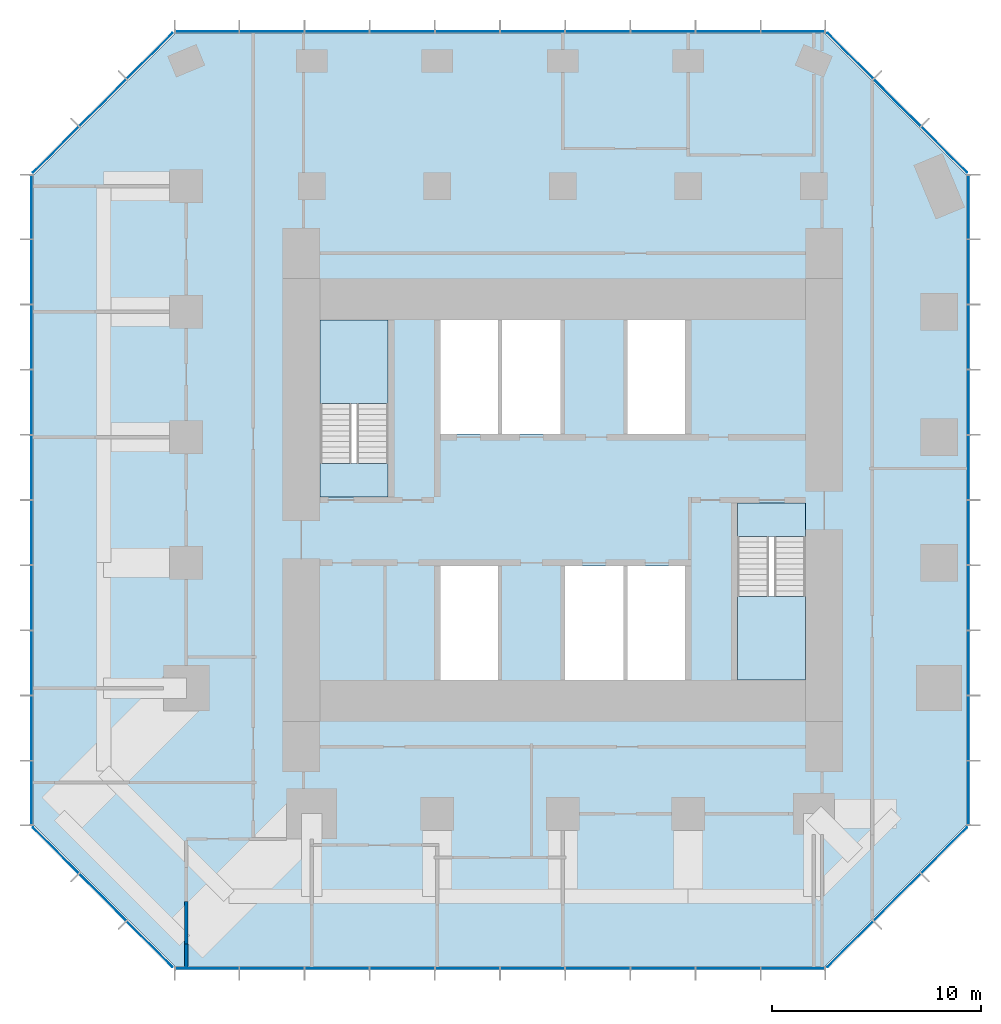
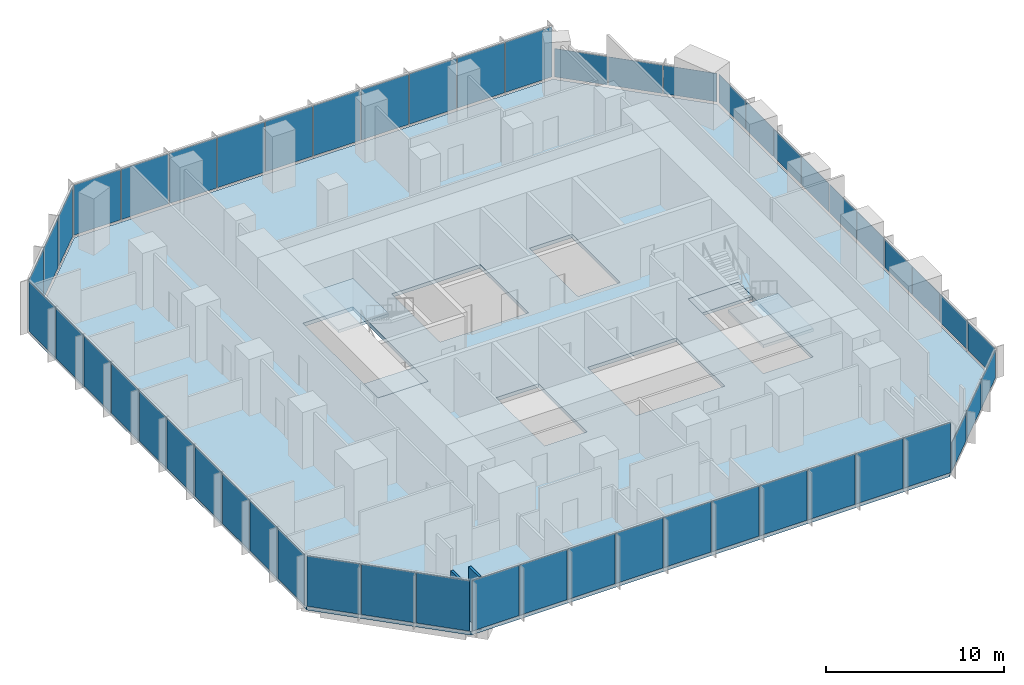
# One storey, part 7 of 11: 52 plates, 5 slabs, 2 walls, 10 elements without a shape of their own.
"""IFC4 building model written with IfcOpenShell, lengths in metres."""

from ifc_helpers import new_model, si_unit, direction, frame, frame_2d, origin, origin_2d, place, context, subcontext, project, spatial, polyline, rectangle, outline, extrude, material, layer, layer_set, type_object, element, aggregate, save


model = new_model("IFC4")

# Units and contexts
model_context = context("Model", 3, precision=1e-05, world=origin(), true_north=direction((0.0, 1.0)))
body_context = subcontext(model_context, "Body", "Model", "MODEL_VIEW")
ifc_project = project(units=[si_unit("LENGTHUNIT", "METRE"), si_unit("AREAUNIT", "SQUARE_METRE"), si_unit("VOLUMEUNIT", "CUBIC_METRE"), si_unit("PLANEANGLEUNIT", "RADIAN"), si_unit("MASSUNIT", "GRAM", prefix="KILO")], contexts=[model_context])

# Site, building, storey
site_placement = place(None, origin())
site = spatial("IfcSite", under=ifc_project, at=site_placement, CompositionType="ELEMENT")
building_placement = place(site_placement, origin())
building = spatial("IfcBuilding", under=site, at=building_placement, Name="Highveld Stack Headquarters", CompositionType="ELEMENT")
storey_placement = place(building_placement, frame((0.0, 0.0, 235.699951171875)))
storey = spatial("IfcBuildingStorey", under=building, at=storey_placement, Name="L58", CompositionType="ELEMENT", Elevation=235.699951171875)

# Curtain wall, plates
ifc_material_1 = material(Name="Aluminium bronze anodised", Category="aluminium")
ifc_layer_1 = layer(ifc_material_1, 0.199951171875)
ifc_layer_set_1 = layer_set([ifc_layer_1], Name="Aluminium bronze anodised")
curtain_wall_type_1 = type_object("IfcCurtainWallType", Name="CW1 TOWER UNITISED CURTAIN WALL", PredefinedType="NOTDEFINED", material=ifc_layer_set_1)
curtain_wall_1_placement = place(storey_placement, origin())
curtain_wall_1 = element("IfcCurtainWall", 1, at=curtain_wall_1_placement, inside=storey, type_object=curtain_wall_type_1, Name="Curtain wall CW1 L58 S", PredefinedType="NOTDEFINED")
ifc_material_2 = material(Name="Glass bronze tinted double glazed unit", Category="glass")
ifc_layer_2 = layer(ifc_material_2, 0.028076171875)
ifc_layer_set_2 = layer_set([ifc_layer_2], Name="Glass bronze tinted double glazed unit")
plate_type_1 = type_object("IfcPlateType", Name="CW1 PANEL BRONZE TINTED DOUBLE GLAZED UNIT", PredefinedType="CURTAIN_PANEL", material=ifc_layer_set_2)
plate_1_placement = place(storey_placement, frame((-11.005615234375, -19.39990234375, 0.10009765625), z_axis=(0.0, 0.0, 1.0), x_axis=(1.0, 0.0, 0.0)))
plate_1 = element("IfcPlate", 2, at=plate_1_placement, type_object=plate_type_1, Name="CW1 panel L58 1.1", PredefinedType="CURTAIN_PANEL", context=body_context, shape_type="SweptSolid", body=[
    extrude(rectangle(XDim=3.0185546875, YDim=0.028076171875, at=origin_2d()), origin(), (0.0, 0.0, 1.0), 3.449951171875),
])
plate_2_placement = place(storey_placement, frame((-7.906005859375, -19.39990234375, 0.10009765625), z_axis=(0.0, 0.0, 1.0), x_axis=(1.0, 0.0, 0.0)))
plate_2 = element("IfcPlate", 3, at=plate_2_placement, type_object=plate_type_1, Name="CW1 panel L58 2.1", PredefinedType="CURTAIN_PANEL", context=body_context, shape_type="SweptSolid", body=[
    extrude(rectangle(XDim=3.051025390625, YDim=0.028076171875, at=origin_2d()), origin(), (0.0, 0.0, 1.0), 3.449951171875),
])
plate_3_placement = place(storey_placement, frame((-4.7900390625, -19.39990234375, 0.10009765625), z_axis=(0.0, 0.0, 1.0), x_axis=(1.0, 0.0, 0.0)))
plate_3 = element("IfcPlate", 4, at=plate_3_placement, type_object=plate_type_1, Name="CW1 panel L58 3.1", PredefinedType="CURTAIN_PANEL", context=body_context, shape_type="SweptSolid", body=[
    extrude(rectangle(XDim=3.051025390625, YDim=0.028076171875, at=origin_2d()), origin(), (0.0, 0.0, 1.0), 3.449951171875),
])
plate_4_placement = place(storey_placement, frame((-1.674072265625, -19.39990234375, 0.10009765625), z_axis=(0.0, 0.0, 1.0), x_axis=(1.0, 0.0, 0.0)))
plate_4 = element("IfcPlate", 5, at=plate_4_placement, type_object=plate_type_1, Name="CW1 panel L58 4.1", PredefinedType="CURTAIN_PANEL", context=body_context, shape_type="SweptSolid", body=[
    extrude(rectangle(XDim=3.051025390625, YDim=0.028076171875, at=origin_2d()), origin(), (0.0, 0.0, 1.0), 3.449951171875),
])
plate_5_placement = place(storey_placement, frame((1.44189453125, -19.39990234375, 0.10009765625), z_axis=(0.0, 0.0, 1.0), x_axis=(1.0, 0.0, 0.0)))
plate_5 = element("IfcPlate", 6, at=plate_5_placement, type_object=plate_type_1, Name="CW1 panel L58 5.1", PredefinedType="CURTAIN_PANEL", context=body_context, shape_type="SweptSolid", body=[
    extrude(rectangle(XDim=3.051025390625, YDim=0.028076171875, at=origin_2d()), origin(), (0.0, 0.0, 1.0), 3.449951171875),
])
plate_6_placement = place(storey_placement, frame((4.55810546875, -19.39990234375, 0.10009765625), z_axis=(0.0, 0.0, 1.0), x_axis=(1.0, 0.0, 0.0)))
plate_6 = element("IfcPlate", 7, at=plate_6_placement, type_object=plate_type_1, Name="CW1 panel L58 6.1", PredefinedType="CURTAIN_PANEL", context=body_context, shape_type="SweptSolid", body=[
    extrude(rectangle(XDim=3.051025390625, YDim=0.028076171875, at=origin_2d()), origin(), (0.0, 0.0, 1.0), 3.449951171875),
])
plate_7_placement = place(storey_placement, frame((7.674072265625, -19.39990234375, 0.10009765625), z_axis=(0.0, 0.0, 1.0), x_axis=(1.0, 0.0, 0.0)))
plate_7 = element("IfcPlate", 8, at=plate_7_placement, type_object=plate_type_1, Name="CW1 panel L58 7.1", PredefinedType="CURTAIN_PANEL", context=body_context, shape_type="SweptSolid", body=[
    extrude(rectangle(XDim=3.051025390625, YDim=0.028076171875, at=origin_2d()), origin(), (0.0, 0.0, 1.0), 3.449951171875),
])
plate_8_placement = place(storey_placement, frame((10.789794921875, -19.39990234375, 0.10009765625), z_axis=(0.0, 0.0, 1.0), x_axis=(1.0, 0.0, 0.0)))
plate_8 = element("IfcPlate", 9, at=plate_8_placement, type_object=plate_type_1, Name="CW1 panel L58 8.1", PredefinedType="CURTAIN_PANEL", context=body_context, shape_type="SweptSolid", body=[
    extrude(rectangle(XDim=3.051025390625, YDim=0.028076171875, at=origin_2d()), origin(), (0.0, 0.0, 1.0), 3.449951171875),
])
plate_9_placement = place(storey_placement, frame((13.906005859375, -19.39990234375, 0.10009765625), z_axis=(0.0, 0.0, 1.0), x_axis=(1.0, 0.0, 0.0)))
plate_9 = element("IfcPlate", 10, at=plate_9_placement, type_object=plate_type_1, Name="CW1 panel L58 9.1", PredefinedType="CURTAIN_PANEL", context=body_context, shape_type="SweptSolid", body=[
    extrude(rectangle(XDim=3.051025390625, YDim=0.028076171875, at=origin_2d()), origin(), (0.0, 0.0, 1.0), 3.449951171875),
])
plate_10_placement = place(storey_placement, frame((17.005615234375, -19.39990234375, 0.10009765625), z_axis=(0.0, 0.0, 1.0), x_axis=(1.0, 0.0, 0.0)))
plate_10 = element("IfcPlate", 11, at=plate_10_placement, type_object=plate_type_1, Name="CW1 panel L58 10.1", PredefinedType="CURTAIN_PANEL", context=body_context, shape_type="SweptSolid", body=[
    extrude(rectangle(XDim=3.0185546875, YDim=0.028076171875, at=origin_2d()), origin(), (0.0, 0.0, 1.0), 3.449951171875),
])
aggregate(curtain_wall_1, [plate_1, plate_2, plate_3, plate_4, plate_5, plate_6, plate_7, plate_8, plate_9, plate_10])

curtain_wall_2_placement = place(storey_placement, origin())
curtain_wall_2 = element("IfcCurtainWall", 12, at=curtain_wall_2_placement, inside=storey, type_object=curtain_wall_type_1, Name="Curtain wall CW1 L58 E", PredefinedType="NOTDEFINED")
plate_11_placement = place(storey_placement, frame((25.39990234375, -11.005615234375, 0.10009765625), z_axis=(0.0, 0.0, 1.0), x_axis=(0.0, 1.0, 0.0)))
plate_11 = element("IfcPlate", 13, at=plate_11_placement, type_object=plate_type_1, Name="CW1 panel L58 1.1", PredefinedType="CURTAIN_PANEL", context=body_context, shape_type="SweptSolid", body=[
    extrude(rectangle(XDim=3.0185546875, YDim=0.028076171875, at=origin_2d()), origin(), (0.0, 0.0, 1.0), 1.949951171875),
])
plate_12_placement = place(storey_placement, frame((25.39990234375, -7.906005859375, 0.10009765625), z_axis=(0.0, 0.0, 1.0), x_axis=(0.0, 1.0, 0.0)))
plate_12 = element("IfcPlate", 14, at=plate_12_placement, type_object=plate_type_1, Name="CW1 panel L58 2.1", PredefinedType="CURTAIN_PANEL", context=body_context, shape_type="SweptSolid", body=[
    extrude(rectangle(XDim=3.051025390625, YDim=0.028076171875, at=origin_2d()), origin(), (0.0, 0.0, 1.0), 1.949951171875),
])
plate_13_placement = place(storey_placement, frame((25.39990234375, -4.7900390625, 0.10009765625), z_axis=(0.0, 0.0, 1.0), x_axis=(0.0, 1.0, 0.0)))
plate_13 = element("IfcPlate", 15, at=plate_13_placement, type_object=plate_type_1, Name="CW1 panel L58 3.1", PredefinedType="CURTAIN_PANEL", context=body_context, shape_type="SweptSolid", body=[
    extrude(rectangle(XDim=3.051025390625, YDim=0.028076171875, at=origin_2d()), origin(), (0.0, 0.0, 1.0), 1.949951171875),
])
plate_14_placement = place(storey_placement, frame((25.39990234375, -1.674072265625, 0.10009765625), z_axis=(0.0, 0.0, 1.0), x_axis=(0.0, 1.0, 0.0)))
plate_14 = element("IfcPlate", 16, at=plate_14_placement, type_object=plate_type_1, Name="CW1 panel L58 4.1", PredefinedType="CURTAIN_PANEL", context=body_context, shape_type="SweptSolid", body=[
    extrude(rectangle(XDim=3.051025390625, YDim=0.028076171875, at=origin_2d()), origin(), (0.0, 0.0, 1.0), 1.949951171875),
])
plate_15_placement = place(storey_placement, frame((25.39990234375, 1.44189453125, 0.10009765625), z_axis=(0.0, 0.0, 1.0), x_axis=(0.0, 1.0, 0.0)))
plate_15 = element("IfcPlate", 17, at=plate_15_placement, type_object=plate_type_1, Name="CW1 panel L58 5.1", PredefinedType="CURTAIN_PANEL", context=body_context, shape_type="SweptSolid", body=[
    extrude(rectangle(XDim=3.051025390625, YDim=0.028076171875, at=origin_2d()), origin(), (0.0, 0.0, 1.0), 1.949951171875),
])
plate_16_placement = place(storey_placement, frame((25.39990234375, 4.55810546875, 0.10009765625), z_axis=(0.0, 0.0, 1.0), x_axis=(0.0, 1.0, 0.0)))
plate_16 = element("IfcPlate", 18, at=plate_16_placement, type_object=plate_type_1, Name="CW1 panel L58 6.1", PredefinedType="CURTAIN_PANEL", context=body_context, shape_type="SweptSolid", body=[
    extrude(rectangle(XDim=3.051025390625, YDim=0.028076171875, at=origin_2d()), origin(), (0.0, 0.0, 1.0), 1.949951171875),
])
plate_17_placement = place(storey_placement, frame((25.39990234375, 7.674072265625, 0.10009765625), z_axis=(0.0, 0.0, 1.0), x_axis=(0.0, 1.0, 0.0)))
plate_17 = element("IfcPlate", 19, at=plate_17_placement, type_object=plate_type_1, Name="CW1 panel L58 7.1", PredefinedType="CURTAIN_PANEL", context=body_context, shape_type="SweptSolid", body=[
    extrude(rectangle(XDim=3.051025390625, YDim=0.028076171875, at=origin_2d()), origin(), (0.0, 0.0, 1.0), 1.949951171875),
])
plate_18_placement = place(storey_placement, frame((25.39990234375, 10.789794921875, 0.10009765625), z_axis=(0.0, 0.0, 1.0), x_axis=(0.0, 1.0, 0.0)))
plate_18 = element("IfcPlate", 20, at=plate_18_placement, type_object=plate_type_1, Name="CW1 panel L58 8.1", PredefinedType="CURTAIN_PANEL", context=body_context, shape_type="SweptSolid", body=[
    extrude(rectangle(XDim=3.051025390625, YDim=0.028076171875, at=origin_2d()), origin(), (0.0, 0.0, 1.0), 1.949951171875),
])
plate_19_placement = place(storey_placement, frame((25.39990234375, 13.906005859375, 0.10009765625), z_axis=(0.0, 0.0, 1.0), x_axis=(0.0, 1.0, 0.0)))
plate_19 = element("IfcPlate", 21, at=plate_19_placement, type_object=plate_type_1, Name="CW1 panel L58 9.1", PredefinedType="CURTAIN_PANEL", context=body_context, shape_type="SweptSolid", body=[
    extrude(rectangle(XDim=3.051025390625, YDim=0.028076171875, at=origin_2d()), origin(), (0.0, 0.0, 1.0), 1.949951171875),
])
plate_20_placement = place(storey_placement, frame((25.39990234375, 17.005615234375, 0.10009765625), z_axis=(0.0, 0.0, 1.0), x_axis=(0.0, 1.0, 0.0)))
plate_20 = element("IfcPlate", 22, at=plate_20_placement, type_object=plate_type_1, Name="CW1 panel L58 10.1", PredefinedType="CURTAIN_PANEL", context=body_context, shape_type="SweptSolid", body=[
    extrude(rectangle(XDim=3.0185546875, YDim=0.028076171875, at=origin_2d()), origin(), (0.0, 0.0, 1.0), 1.949951171875),
])
aggregate(curtain_wall_2, [plate_11, plate_12, plate_13, plate_14, plate_15, plate_16, plate_17, plate_18, plate_19, plate_20])

curtain_wall_3_placement = place(storey_placement, origin())
curtain_wall_3 = element("IfcCurtainWall", 23, at=curtain_wall_3_placement, inside=storey, type_object=curtain_wall_type_1, Name="Curtain wall CW1 L58 N", PredefinedType="NOTDEFINED")
plate_21_placement = place(storey_placement, frame((17.005615234375, 25.39990234375, 0.10009765625), z_axis=(0.0, 0.0, 1.0), x_axis=(-1.0, 0.0, 0.0)))
plate_21 = element("IfcPlate", 24, at=plate_21_placement, type_object=plate_type_1, Name="CW1 panel L58 1.1", PredefinedType="CURTAIN_PANEL", context=body_context, shape_type="SweptSolid", body=[
    extrude(rectangle(XDim=3.0185546875, YDim=0.028076171875, at=origin_2d()), origin(), (0.0, 0.0, 1.0), 3.449951171875),
])
plate_22_placement = place(storey_placement, frame((13.906005859375, 25.39990234375, 0.10009765625), z_axis=(0.0, 0.0, 1.0), x_axis=(-1.0, 0.0, 0.0)))
plate_22 = element("IfcPlate", 25, at=plate_22_placement, type_object=plate_type_1, Name="CW1 panel L58 2.1", PredefinedType="CURTAIN_PANEL", context=body_context, shape_type="SweptSolid", body=[
    extrude(rectangle(XDim=3.051025390625, YDim=0.028076171875, at=origin_2d()), origin(), (0.0, 0.0, 1.0), 3.449951171875),
])
plate_23_placement = place(storey_placement, frame((10.7900390625, 25.39990234375, 0.10009765625), z_axis=(0.0, 0.0, 1.0), x_axis=(-1.0, 0.0, 0.0)))
plate_23 = element("IfcPlate", 26, at=plate_23_placement, type_object=plate_type_1, Name="CW1 panel L58 3.1", PredefinedType="CURTAIN_PANEL", context=body_context, shape_type="SweptSolid", body=[
    extrude(rectangle(XDim=3.051025390625, YDim=0.028076171875, at=origin_2d()), origin(), (0.0, 0.0, 1.0), 3.449951171875),
])
plate_24_placement = place(storey_placement, frame((7.674072265625, 25.39990234375, 0.10009765625), z_axis=(0.0, 0.0, 1.0), x_axis=(-1.0, 0.0, 0.0)))
plate_24 = element("IfcPlate", 27, at=plate_24_placement, type_object=plate_type_1, Name="CW1 panel L58 4.1", PredefinedType="CURTAIN_PANEL", context=body_context, shape_type="SweptSolid", body=[
    extrude(rectangle(XDim=3.051025390625, YDim=0.028076171875, at=origin_2d()), origin(), (0.0, 0.0, 1.0), 3.449951171875),
])
plate_25_placement = place(storey_placement, frame((4.55810546875, 25.39990234375, 0.10009765625), z_axis=(0.0, 0.0, 1.0), x_axis=(-1.0, 0.0, 0.0)))
plate_25 = element("IfcPlate", 28, at=plate_25_placement, type_object=plate_type_1, Name="CW1 panel L58 5.1", PredefinedType="CURTAIN_PANEL", context=body_context, shape_type="SweptSolid", body=[
    extrude(rectangle(XDim=3.051025390625, YDim=0.028076171875, at=origin_2d()), origin(), (0.0, 0.0, 1.0), 3.449951171875),
])
plate_26_placement = place(storey_placement, frame((1.44189453125, 25.39990234375, 0.10009765625), z_axis=(0.0, 0.0, 1.0), x_axis=(-1.0, 0.0, 0.0)))
plate_26 = element("IfcPlate", 29, at=plate_26_placement, type_object=plate_type_1, Name="CW1 panel L58 6.1", PredefinedType="CURTAIN_PANEL", context=body_context, shape_type="SweptSolid", body=[
    extrude(rectangle(XDim=3.051025390625, YDim=0.028076171875, at=origin_2d()), origin(), (0.0, 0.0, 1.0), 3.449951171875),
])
plate_27_placement = place(storey_placement, frame((-1.674072265625, 25.39990234375, 0.10009765625), z_axis=(0.0, 0.0, 1.0), x_axis=(-1.0, 0.0, 0.0)))
plate_27 = element("IfcPlate", 30, at=plate_27_placement, type_object=plate_type_1, Name="CW1 panel L58 7.1", PredefinedType="CURTAIN_PANEL", context=body_context, shape_type="SweptSolid", body=[
    extrude(rectangle(XDim=3.051025390625, YDim=0.028076171875, at=origin_2d()), origin(), (0.0, 0.0, 1.0), 3.449951171875),
])
plate_28_placement = place(storey_placement, frame((-4.789794921875, 25.39990234375, 0.10009765625), z_axis=(0.0, 0.0, 1.0), x_axis=(-1.0, 0.0, 0.0)))
plate_28 = element("IfcPlate", 31, at=plate_28_placement, type_object=plate_type_1, Name="CW1 panel L58 8.1", PredefinedType="CURTAIN_PANEL", context=body_context, shape_type="SweptSolid", body=[
    extrude(rectangle(XDim=3.051025390625, YDim=0.028076171875, at=origin_2d()), origin(), (0.0, 0.0, 1.0), 3.449951171875),
])
plate_29_placement = place(storey_placement, frame((-7.906005859375, 25.39990234375, 0.10009765625), z_axis=(0.0, 0.0, 1.0), x_axis=(-1.0, 0.0, 0.0)))
plate_29 = element("IfcPlate", 32, at=plate_29_placement, type_object=plate_type_1, Name="CW1 panel L58 9.1", PredefinedType="CURTAIN_PANEL", context=body_context, shape_type="SweptSolid", body=[
    extrude(rectangle(XDim=3.051025390625, YDim=0.028076171875, at=origin_2d()), origin(), (0.0, 0.0, 1.0), 3.449951171875),
])
plate_30_placement = place(storey_placement, frame((-11.005615234375, 25.39990234375, 0.10009765625), z_axis=(0.0, 0.0, 1.0), x_axis=(-1.0, 0.0, 0.0)))
plate_30 = element("IfcPlate", 33, at=plate_30_placement, type_object=plate_type_1, Name="CW1 panel L58 10.1", PredefinedType="CURTAIN_PANEL", context=body_context, shape_type="SweptSolid", body=[
    extrude(rectangle(XDim=3.0185546875, YDim=0.028076171875, at=origin_2d()), origin(), (0.0, 0.0, 1.0), 3.449951171875),
])
aggregate(curtain_wall_3, [plate_21, plate_22, plate_23, plate_24, plate_25, plate_26, plate_27, plate_28, plate_29, plate_30])

curtain_wall_4_placement = place(storey_placement, origin())
curtain_wall_4 = element("IfcCurtainWall", 34, at=curtain_wall_4_placement, inside=storey, type_object=curtain_wall_type_1, Name="Curtain wall CW1 L58 W", PredefinedType="NOTDEFINED")
plate_31_placement = place(storey_placement, frame((-19.39990234375, 17.005615234375, 0.10009765625), z_axis=(0.0, 0.0, 1.0), x_axis=(0.0, -1.0, 0.0)))
plate_31 = element("IfcPlate", 35, at=plate_31_placement, type_object=plate_type_1, Name="CW1 panel L58 1.1", PredefinedType="CURTAIN_PANEL", context=body_context, shape_type="SweptSolid", body=[
    extrude(rectangle(XDim=3.0185546875, YDim=0.028076171875, at=origin_2d()), origin(), (0.0, 0.0, 1.0), 3.449951171875),
])
plate_32_placement = place(storey_placement, frame((-19.39990234375, 13.906005859375, 0.10009765625), z_axis=(0.0, 0.0, 1.0), x_axis=(0.0, -1.0, 0.0)))
plate_32 = element("IfcPlate", 36, at=plate_32_placement, type_object=plate_type_1, Name="CW1 panel L58 2.1", PredefinedType="CURTAIN_PANEL", context=body_context, shape_type="SweptSolid", body=[
    extrude(rectangle(XDim=3.051025390625, YDim=0.028076171875, at=origin_2d()), origin(), (0.0, 0.0, 1.0), 3.449951171875),
])
plate_33_placement = place(storey_placement, frame((-19.39990234375, 10.7900390625, 0.10009765625), z_axis=(0.0, 0.0, 1.0), x_axis=(0.0, -1.0, 0.0)))
plate_33 = element("IfcPlate", 37, at=plate_33_placement, type_object=plate_type_1, Name="CW1 panel L58 3.1", PredefinedType="CURTAIN_PANEL", context=body_context, shape_type="SweptSolid", body=[
    extrude(rectangle(XDim=3.051025390625, YDim=0.028076171875, at=origin_2d()), origin(), (0.0, 0.0, 1.0), 3.449951171875),
])
plate_34_placement = place(storey_placement, frame((-19.39990234375, 7.674072265625, 0.10009765625), z_axis=(0.0, 0.0, 1.0), x_axis=(0.0, -1.0, 0.0)))
plate_34 = element("IfcPlate", 38, at=plate_34_placement, type_object=plate_type_1, Name="CW1 panel L58 4.1", PredefinedType="CURTAIN_PANEL", context=body_context, shape_type="SweptSolid", body=[
    extrude(rectangle(XDim=3.051025390625, YDim=0.028076171875, at=origin_2d()), origin(), (0.0, 0.0, 1.0), 3.449951171875),
])
plate_35_placement = place(storey_placement, frame((-19.39990234375, 4.55810546875, 0.10009765625), z_axis=(0.0, 0.0, 1.0), x_axis=(0.0, -1.0, 0.0)))
plate_35 = element("IfcPlate", 39, at=plate_35_placement, type_object=plate_type_1, Name="CW1 panel L58 5.1", PredefinedType="CURTAIN_PANEL", context=body_context, shape_type="SweptSolid", body=[
    extrude(rectangle(XDim=3.051025390625, YDim=0.028076171875, at=origin_2d()), origin(), (0.0, 0.0, 1.0), 3.449951171875),
])
plate_36_placement = place(storey_placement, frame((-19.39990234375, 1.44189453125, 0.10009765625), z_axis=(0.0, 0.0, 1.0), x_axis=(0.0, -1.0, 0.0)))
plate_36 = element("IfcPlate", 40, at=plate_36_placement, type_object=plate_type_1, Name="CW1 panel L58 6.1", PredefinedType="CURTAIN_PANEL", context=body_context, shape_type="SweptSolid", body=[
    extrude(rectangle(XDim=3.051025390625, YDim=0.028076171875, at=origin_2d()), origin(), (0.0, 0.0, 1.0), 3.449951171875),
])
plate_37_placement = place(storey_placement, frame((-19.39990234375, -1.674072265625, 0.10009765625), z_axis=(0.0, 0.0, 1.0), x_axis=(0.0, -1.0, 0.0)))
plate_37 = element("IfcPlate", 41, at=plate_37_placement, type_object=plate_type_1, Name="CW1 panel L58 7.1", PredefinedType="CURTAIN_PANEL", context=body_context, shape_type="SweptSolid", body=[
    extrude(rectangle(XDim=3.051025390625, YDim=0.028076171875, at=origin_2d()), origin(), (0.0, 0.0, 1.0), 3.449951171875),
])
plate_38_placement = place(storey_placement, frame((-19.39990234375, -4.789794921875, 0.10009765625), z_axis=(0.0, 0.0, 1.0), x_axis=(0.0, -1.0, 0.0)))
plate_38 = element("IfcPlate", 42, at=plate_38_placement, type_object=plate_type_1, Name="CW1 panel L58 8.1", PredefinedType="CURTAIN_PANEL", context=body_context, shape_type="SweptSolid", body=[
    extrude(rectangle(XDim=3.051025390625, YDim=0.028076171875, at=origin_2d()), origin(), (0.0, 0.0, 1.0), 3.449951171875),
])
plate_39_placement = place(storey_placement, frame((-19.39990234375, -7.906005859375, 0.10009765625), z_axis=(0.0, 0.0, 1.0), x_axis=(0.0, -1.0, 0.0)))
plate_39 = element("IfcPlate", 43, at=plate_39_placement, type_object=plate_type_1, Name="CW1 panel L58 9.1", PredefinedType="CURTAIN_PANEL", context=body_context, shape_type="SweptSolid", body=[
    extrude(rectangle(XDim=3.051025390625, YDim=0.028076171875, at=origin_2d()), origin(), (0.0, 0.0, 1.0), 3.449951171875),
])
plate_40_placement = place(storey_placement, frame((-19.39990234375, -11.005615234375, 0.10009765625), z_axis=(0.0, 0.0, 1.0), x_axis=(0.0, -1.0, 0.0)))
plate_40 = element("IfcPlate", 44, at=plate_40_placement, type_object=plate_type_1, Name="CW1 panel L58 10.1", PredefinedType="CURTAIN_PANEL", context=body_context, shape_type="SweptSolid", body=[
    extrude(rectangle(XDim=3.0185546875, YDim=0.028076171875, at=origin_2d()), origin(), (0.0, 0.0, 1.0), 3.449951171875),
])
aggregate(curtain_wall_4, [plate_31, plate_32, plate_33, plate_34, plate_35, plate_36, plate_37, plate_38, plate_39, plate_40])

ifc_material_3 = material(Name="Aluminium bronze anodised", Category="aluminium")
ifc_layer_3 = layer(ifc_material_3, 0.199951171875)
ifc_layer_set_3 = layer_set([ifc_layer_3], Name="Aluminium bronze anodised")
curtain_wall_type_2 = type_object("IfcCurtainWallType", Name="CW2 TOWER CHAMFER UNITISED CURTAIN WALL", PredefinedType="NOTDEFINED", material=ifc_layer_set_3)
curtain_wall_5_placement = place(storey_placement, origin())
curtain_wall_5 = element("IfcCurtainWall", 45, at=curtain_wall_5_placement, inside=storey, type_object=curtain_wall_type_2, Name="Curtain wall CW2 L58 SE", PredefinedType="NOTDEFINED")
ifc_material_4 = material(Name="Glass bronze tinted double glazed unit", Category="glass")
ifc_layer_4 = layer(ifc_material_4, 0.028076171875)
ifc_layer_set_4 = layer_set([ifc_layer_4], Name="Glass bronze tinted double glazed unit")
plate_type_2 = type_object("IfcPlateType", Name="CW2 PANEL BRONZE TINTED DOUBLE GLAZED UNIT", PredefinedType="CURTAIN_PANEL", material=ifc_layer_set_4)
plate_41_placement = place(storey_placement, frame((19.740478515625, -18.239501953125, 0.10009765625), z_axis=(0.0, 0.0, 1.0), x_axis=(0.707106781187, 0.707106781187, 0.0)))
plate_41 = element("IfcPlate", 46, at=plate_41_placement, type_object=plate_type_2, Name="CW2 panel L58 1.1", PredefinedType="CURTAIN_PANEL", context=body_context, shape_type="SweptSolid", body=[
    extrude(rectangle(XDim=3.08251953125, YDim=0.028076171875, at=origin_2d()), origin(), (0.0, 0.0, 1.0), 1.949951171875),
])
plate_42_placement = place(storey_placement, frame((21.989990234375, -15.989990234375, 0.10009765625), z_axis=(0.0, 0.0, 1.0), x_axis=(0.707106781187, 0.707106781187, 0.0)))
plate_42 = element("IfcPlate", 47, at=plate_42_placement, type_object=plate_type_2, Name="CW2 panel L58 2.1", PredefinedType="CURTAIN_PANEL", context=body_context, shape_type="SweptSolid", body=[
    extrude(rectangle(XDim=3.14990234375, YDim=0.028076171875, at=origin_2d()), origin(), (0.0, 0.0, 1.0), 1.949951171875),
])
plate_43_placement = place(storey_placement, frame((24.239501953125, -13.740478515625, 0.10009765625), z_axis=(0.0, 0.0, 1.0), x_axis=(0.707106781187, 0.707106781187, 0.0)))
plate_43 = element("IfcPlate", 48, at=plate_43_placement, type_object=plate_type_2, Name="CW2 panel L58 3.1", PredefinedType="CURTAIN_PANEL", context=body_context, shape_type="SweptSolid", body=[
    extrude(rectangle(XDim=3.08251953125, YDim=0.028076171875, at=origin_2d()), origin(), (0.0, 0.0, 1.0), 1.949951171875),
])
aggregate(curtain_wall_5, [plate_41, plate_42, plate_43])

curtain_wall_6_placement = place(storey_placement, origin())
curtain_wall_6 = element("IfcCurtainWall", 49, at=curtain_wall_6_placement, inside=storey, type_object=curtain_wall_type_2, Name="Curtain wall CW2 L58 NE", PredefinedType="NOTDEFINED")
plate_44_placement = place(storey_placement, frame((24.239501953125, 19.740478515625, 0.10009765625), z_axis=(0.0, 0.0, 1.0), x_axis=(-0.707106781187, 0.707106781187, 0.0)))
plate_44 = element("IfcPlate", 50, at=plate_44_placement, type_object=plate_type_2, Name="CW2 panel L58 1.1", PredefinedType="CURTAIN_PANEL", context=body_context, shape_type="SweptSolid", body=[
    extrude(rectangle(XDim=3.08251953125, YDim=0.028076171875, at=origin_2d()), origin(), (0.0, 0.0, 1.0), 1.949951171875),
])
plate_45_placement = place(storey_placement, frame((21.989990234375, 21.989990234375, 0.10009765625), z_axis=(0.0, 0.0, 1.0), x_axis=(-0.707106781187, 0.707106781187, 0.0)))
plate_45 = element("IfcPlate", 51, at=plate_45_placement, type_object=plate_type_2, Name="CW2 panel L58 2.1", PredefinedType="CURTAIN_PANEL", context=body_context, shape_type="SweptSolid", body=[
    extrude(rectangle(XDim=3.14990234375, YDim=0.028076171875, at=origin_2d()), origin(), (0.0, 0.0, 1.0), 1.949951171875),
])
plate_46_placement = place(storey_placement, frame((19.740478515625, 24.239501953125, 0.10009765625), z_axis=(0.0, 0.0, 1.0), x_axis=(-0.707106781187, 0.707106781187, 0.0)))
plate_46 = element("IfcPlate", 52, at=plate_46_placement, type_object=plate_type_2, Name="CW2 panel L58 3.1", PredefinedType="CURTAIN_PANEL", context=body_context, shape_type="SweptSolid", body=[
    extrude(rectangle(XDim=3.08251953125, YDim=0.028076171875, at=origin_2d()), origin(), (0.0, 0.0, 1.0), 1.949951171875),
])
aggregate(curtain_wall_6, [plate_44, plate_45, plate_46])

curtain_wall_7_placement = place(storey_placement, origin())
curtain_wall_7 = element("IfcCurtainWall", 53, at=curtain_wall_7_placement, inside=storey, type_object=curtain_wall_type_2, Name="Curtain wall CW2 L58 NW", PredefinedType="NOTDEFINED")
plate_47_placement = place(storey_placement, frame((-13.740478515625, 24.239501953125, 0.10009765625), z_axis=(0.0, 0.0, 1.0), x_axis=(-0.707106781187, -0.707106781187, 0.0)))
plate_47 = element("IfcPlate", 54, at=plate_47_placement, type_object=plate_type_2, Name="CW2 panel L58 1.1", PredefinedType="CURTAIN_PANEL", context=body_context, shape_type="SweptSolid", body=[
    extrude(rectangle(XDim=3.08251953125, YDim=0.028076171875, at=origin_2d()), origin(), (0.0, 0.0, 1.0), 3.449951171875),
])
plate_48_placement = place(storey_placement, frame((-15.989990234375, 21.989990234375, 0.10009765625), z_axis=(0.0, 0.0, 1.0), x_axis=(-0.707106781187, -0.707106781187, 0.0)))
plate_48 = element("IfcPlate", 55, at=plate_48_placement, type_object=plate_type_2, Name="CW2 panel L58 2.1", PredefinedType="CURTAIN_PANEL", context=body_context, shape_type="SweptSolid", body=[
    extrude(rectangle(XDim=3.14990234375, YDim=0.028076171875, at=origin_2d()), origin(), (0.0, 0.0, 1.0), 3.449951171875),
])
plate_49_placement = place(storey_placement, frame((-18.239501953125, 19.740478515625, 0.10009765625), z_axis=(0.0, 0.0, 1.0), x_axis=(-0.707106781187, -0.707106781187, 0.0)))
plate_49 = element("IfcPlate", 56, at=plate_49_placement, type_object=plate_type_2, Name="CW2 panel L58 3.1", PredefinedType="CURTAIN_PANEL", context=body_context, shape_type="SweptSolid", body=[
    extrude(rectangle(XDim=3.08251953125, YDim=0.028076171875, at=origin_2d()), origin(), (0.0, 0.0, 1.0), 3.449951171875),
])
aggregate(curtain_wall_7, [plate_47, plate_48, plate_49])

curtain_wall_8_placement = place(storey_placement, origin())
curtain_wall_8 = element("IfcCurtainWall", 57, at=curtain_wall_8_placement, inside=storey, type_object=curtain_wall_type_2, Name="Curtain wall CW2 L58 SW", PredefinedType="NOTDEFINED")
plate_50_placement = place(storey_placement, frame((-18.239501953125, -13.740478515625, 0.10009765625), z_axis=(0.0, 0.0, 1.0), x_axis=(0.707106781187, -0.707106781187, 0.0)))
plate_50 = element("IfcPlate", 58, at=plate_50_placement, type_object=plate_type_2, Name="CW2 panel L58 1.1", PredefinedType="CURTAIN_PANEL", context=body_context, shape_type="SweptSolid", body=[
    extrude(rectangle(XDim=3.08251953125, YDim=0.028076171875, at=origin_2d()), origin(), (0.0, 0.0, 1.0), 3.449951171875),
])
plate_51_placement = place(storey_placement, frame((-15.989990234375, -15.989990234375, 0.10009765625), z_axis=(0.0, 0.0, 1.0), x_axis=(0.707106781187, -0.707106781187, 0.0)))
plate_51 = element("IfcPlate", 59, at=plate_51_placement, type_object=plate_type_2, Name="CW2 panel L58 2.1", PredefinedType="CURTAIN_PANEL", context=body_context, shape_type="SweptSolid", body=[
    extrude(rectangle(XDim=3.14990234375, YDim=0.028076171875, at=origin_2d()), origin(), (0.0, 0.0, 1.0), 3.449951171875),
])
plate_52_placement = place(storey_placement, frame((-13.740478515625, -18.239501953125, 0.10009765625), z_axis=(0.0, 0.0, 1.0), x_axis=(0.707106781187, -0.707106781187, 0.0)))
plate_52 = element("IfcPlate", 60, at=plate_52_placement, type_object=plate_type_2, Name="CW2 panel L58 3.1", PredefinedType="CURTAIN_PANEL", context=body_context, shape_type="SweptSolid", body=[
    extrude(rectangle(XDim=3.08251953125, YDim=0.028076171875, at=origin_2d()), origin(), (0.0, 0.0, 1.0), 3.449951171875),
])
aggregate(curtain_wall_8, [plate_50, plate_51, plate_52])

# Slab
ifc_material_5 = material(Name="Concrete C60/75", Category="concrete")
ifc_layer_5 = layer(ifc_material_5, 0.25)
ifc_layer_set_5 = layer_set([ifc_layer_5], Name="Concrete C60/75")
slab_type_1 = type_object("IfcSlabType", Name="PT FLAT SLAB 250", PredefinedType="FLOOR", material=ifc_layer_set_5)
slab_1_placement = place(storey_placement, frame((0.0, 0.0, -0.25)))
element("IfcSlab", 61, at=slab_1_placement, inside=storey, type_object=slab_type_1, Name="Floor slab L58", PredefinedType="FLOOR", context=body_context, shape_type="SweptSolid", body=[
    extrude(outline(polyline([(-12.53857421875, -19.300048828125), (18.53857421875, -19.300048828125), (25.300048828125, -12.53857421875), (25.300048828125, 18.53857421875), (18.53857421875, 25.300048828125), (-12.53857421875, 25.300048828125), (-19.300048828125, 18.53857421875), (-19.300048828125, -12.53857421875), (-12.53857421875, -19.300048828125)]), holes=[polyline([(0.14990234375, 6.14990234375), (5.89990234375, 6.14990234375), (5.89990234375, 11.60009765625), (0.14990234375, 11.60009765625), (0.14990234375, 6.14990234375)]), polyline([(9.10009765625, 6.14990234375), (11.85009765625, 6.14990234375), (11.85009765625, 11.60009765625), (9.10009765625, 11.60009765625), (9.10009765625, 6.14990234375)]), polyline([(6.10009765625, -5.60009765625), (11.85009765625, -5.60009765625), (11.85009765625, -0.14990234375), (6.10009765625, -0.14990234375), (6.10009765625, -5.60009765625)]), polyline([(0.14990234375, -5.60009765625), (2.89990234375, -5.60009765625), (2.89990234375, -0.14990234375), (0.14990234375, -0.14990234375), (0.14990234375, -5.60009765625)]), polyline([(-5.60009765625, 3.14990234375), (-2.35009765625, 3.14990234375), (-2.35009765625, 11.60009765625), (-5.60009765625, 11.60009765625), (-5.60009765625, 3.14990234375)]), polyline([(14.35009765625, -5.60009765625), (17.60009765625, -5.60009765625), (17.60009765625, 2.85009765625), (14.35009765625, 2.85009765625), (14.35009765625, -5.60009765625)])]), origin(), (0.0, 0.0, 1.0), 0.25),
])

# Stair, slabs
ifc_material_6 = material(Name="Concrete C40/50, precast", Category="concrete")
stair_type_1 = type_object("IfcStairType", Name="STAIR S1 HALF TURN 1500", PredefinedType="HALF_TURN_STAIR", material=ifc_material_6)
stair_1_placement = place(storey_placement, origin())
stair_1 = element("IfcStair", 62, at=stair_1_placement, inside=storey, type_object=stair_type_1, Name="Stair S1 L58", PredefinedType="HALF_TURN_STAIR")
ifc_material_7 = material(Name="Concrete C40/50, precast", Category="concrete")
ifc_layer_6 = layer(ifc_material_7, 0.199951171875)
ifc_layer_set_6 = layer_set([ifc_layer_6], Name="Concrete C40/50, precast")
slab_type_2 = type_object("IfcSlabType", Name="STAIR LANDING 200", PredefinedType="LANDING", material=ifc_layer_set_6)
slab_2_placement = place(storey_placement, frame((0.0, 0.0, 1.75)))
slab_2 = element("IfcSlab", 63, at=slab_2_placement, type_object=slab_type_2, Name="S1 landing 1", PredefinedType="LANDING", context=body_context, shape_type="SweptSolid", body=[
    extrude(outline(polyline([(-5.60009765625, 7.610107421875), (-2.35009765625, 7.610107421875), (-2.35009765625, 11.60009765625), (-5.60009765625, 11.60009765625), (-5.60009765625, 7.610107421875)])), origin(), (0.0, 0.0, 1.0), 0.199951171875),
])
slab_3_placement = place(storey_placement, frame((0.0, 0.0, -0.199951171875)))
slab_3 = element("IfcSlab", 64, at=slab_3_placement, type_object=slab_type_2, Name="S1 landing 2", PredefinedType="LANDING", context=body_context, shape_type="SweptSolid", body=[
    extrude(outline(polyline([(-5.60009765625, 3.14990234375), (-2.35009765625, 3.14990234375), (-2.35009765625, 4.75), (-5.60009765625, 4.75), (-5.60009765625, 3.14990234375)])), origin(), (0.0, 0.0, 1.0), 0.199951171875),
])
aggregate(stair_1, [slab_2, slab_3])

ifc_material_8 = material(Name="Concrete C40/50, precast", Category="concrete")
stair_type_2 = type_object("IfcStairType", Name="STAIR S2 HALF TURN 1500", PredefinedType="HALF_TURN_STAIR", material=ifc_material_8)
stair_2_placement = place(storey_placement, origin())
stair_2 = element("IfcStair", 65, at=stair_2_placement, inside=storey, type_object=stair_type_2, Name="Stair S2 L58", PredefinedType="HALF_TURN_STAIR")
slab_4_placement = place(storey_placement, frame((0.0, 0.0, 1.75)))
slab_4 = element("IfcSlab", 66, at=slab_4_placement, type_object=slab_type_2, Name="S2 landing 1", PredefinedType="LANDING", context=body_context, shape_type="SweptSolid", body=[
    extrude(outline(polyline([(14.35009765625, -5.60009765625), (17.60009765625, -5.60009765625), (17.60009765625, -1.610107421875), (14.35009765625, -1.610107421875), (14.35009765625, -5.60009765625)])), origin(), (0.0, 0.0, 1.0), 0.199951171875),
])
slab_5_placement = place(storey_placement, frame((0.0, 0.0, -0.199951171875)))
slab_5 = element("IfcSlab", 67, at=slab_5_placement, type_object=slab_type_2, Name="S2 landing 2", PredefinedType="LANDING", context=body_context, shape_type="SweptSolid", body=[
    extrude(outline(polyline([(14.35009765625, 1.25), (17.60009765625, 1.25), (17.60009765625, 2.85009765625), (14.35009765625, 2.85009765625), (14.35009765625, 1.25)])), origin(), (0.0, 0.0, 1.0), 0.199951171875),
])
aggregate(stair_2, [slab_4, slab_5])

# Walls
ifc_material_9 = material(Name="Gypsum plasterboard on steel studs", Category="steel")
ifc_layer_7 = layer(ifc_material_9, 0.14990234375)
ifc_layer_set_7 = layer_set([ifc_layer_7], Name="Gypsum plasterboard on steel studs")
wall_type = type_object("IfcWallType", Name="PARTITION 150 PLASTERBOARD", PredefinedType="PARTITIONING", material=ifc_layer_set_7)
wall_1_placement = place(storey_placement, frame((-12.0, -19.39990234375, 0.0), z_axis=(0.0, 0.0, 1.0), x_axis=(0.0, 1.0, 0.0)))
element("IfcWall", 68, at=wall_1_placement, inside=storey, type_object=wall_type, Name="Partition Tea kitchen L58", PredefinedType="PARTITIONING", context=body_context, shape_type="SweptSolid", body=[
    extrude(rectangle(XDim=1.162841796875, YDim=0.14990234375, at=frame_2d((0.58154296875, 0.0))), origin(), (0.0, 0.0, 1.0), 3.650146484375),
])
wall_2_placement = place(storey_placement, frame((-12.0, -18.237060546875, 0.0), z_axis=(0.0, 0.0, 1.0), x_axis=(0.0, 1.0, 0.0)))
element("IfcWall", 69, at=wall_2_placement, inside=storey, type_object=wall_type, Name="Partition Tea kitchen L58", PredefinedType="PARTITIONING", context=body_context, shape_type="SweptSolid", body=[
    extrude(rectangle(XDim=2.029052734375, YDim=0.14990234375, at=frame_2d((1.0146484375, 0.0))), origin(), (0.0, 0.0, 1.0), 2.150146484375),
])

save(model, "model.ifc")
